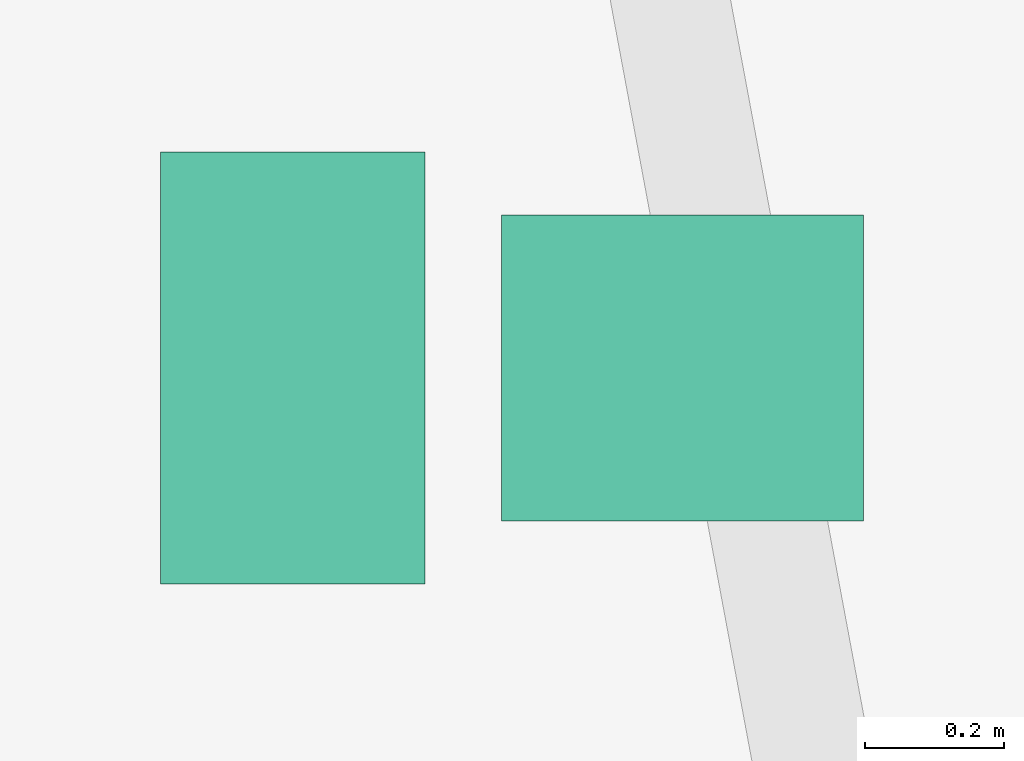
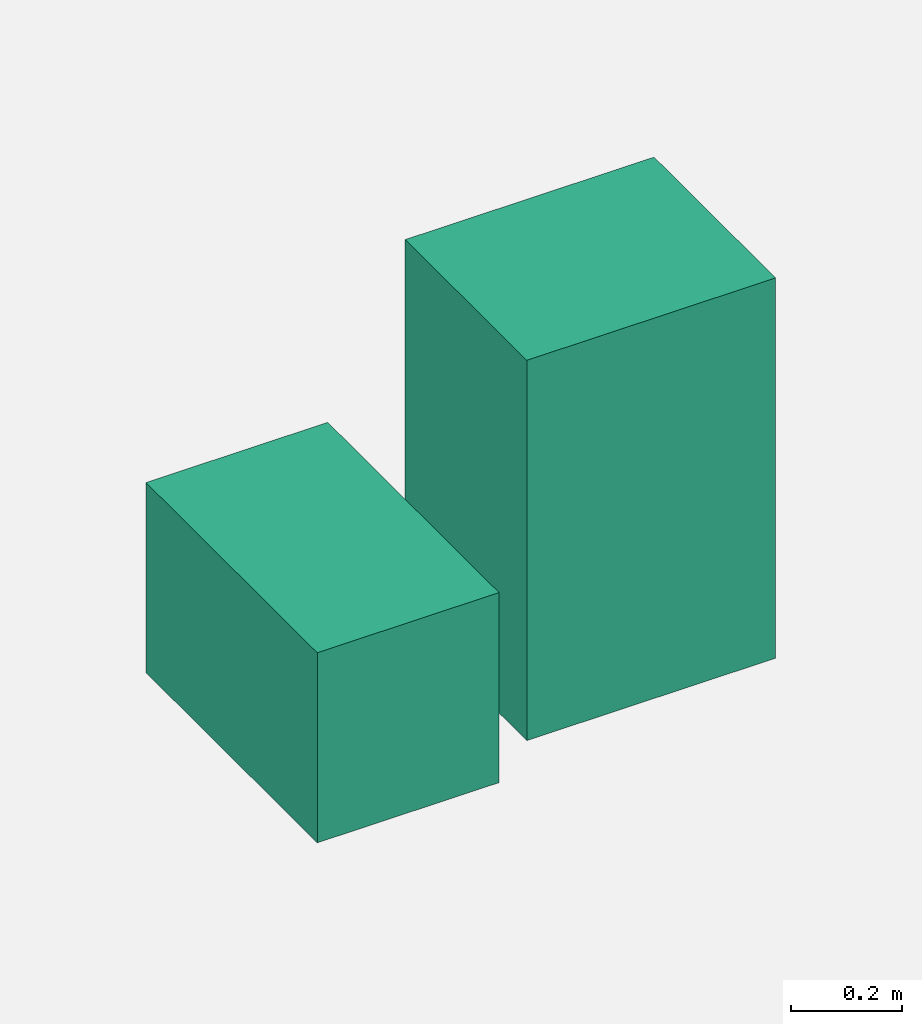
# One storey, part 12 of 12: 2 sanitary terminals.
"""IFC4 building model written with IfcOpenShell, lengths in metres."""

from ifc_helpers import new_model, si_unit, direction, frame, origin, origin_2d, place, context, subcontext, project, spatial, rectangle, extrude, source, transform, mapped, material, type_object, element, save


model = new_model("IFC4")

# Units and contexts
model_context = context("Model", 3, precision=1e-05, world=origin(), true_north=direction((0.0, 1.0)))
body_context = subcontext(model_context, "Body", "Model", "MODEL_VIEW")
ifc_project = project(units=[si_unit("LENGTHUNIT", "METRE"), si_unit("AREAUNIT", "SQUARE_METRE"), si_unit("VOLUMEUNIT", "CUBIC_METRE"), si_unit("PLANEANGLEUNIT", "RADIAN"), si_unit("MASSUNIT", "GRAM", prefix="KILO")], contexts=[model_context])

# Site, building, storey
site_placement = place(None, origin())
site = spatial("IfcSite", under=ifc_project, at=site_placement, CompositionType="ELEMENT")
building_placement = place(site_placement, origin())
building = spatial("IfcBuilding", under=site, at=building_placement, Name="Qafzar Sky-Pleat Residences", CompositionType="ELEMENT")
storey_placement = place(building_placement, frame((0.0, 0.0, 187.39990234375)))
storey = spatial("IfcBuildingStorey", under=building, at=storey_placement, Name="L56", CompositionType="ELEMENT", Elevation=187.39990234375)

# Sanitary terminals
ifc_material = material(Name="Vitreous china sanitaryware")
sanitary_terminal_type_1 = type_object("IfcSanitaryTerminalType", Name="SAN-WC-PAN", PredefinedType="TOILETPAN", material=ifc_material)
shared_shape_1 = source(origin(), body_context, "Body", "SweptSolid", [
    extrude(rectangle(XDim=0.3798828125, YDim=0.6201171875, at=origin_2d()), origin(), (0.0, 0.0, 1.0), 0.419921875),
])
sanitary_terminal_1_placement = place(storey_placement, frame((40.5244140625, 29.34912109375, 0.000244140625), z_axis=(0.0, 0.0, 1.0), x_axis=(1.0, 0.0, 0.0)))
element("IfcSanitaryTerminal", 1, at=sanitary_terminal_1_placement, inside=storey, type_object=sanitary_terminal_type_1, Name="L56 Accessible Shared Washroom WC Pan", PredefinedType="TOILETPAN", context=body_context, shape_type="MappedRepresentation", body=[
    mapped(shared_shape_1, transform((0.0, 0.0, 0.0), x_axis=(1.0, 0.0, 0.0), y_axis=(0.0, 1.0, 0.0), z_axis=(0.0, 0.0, 1.0), scale=1.0)),
])
sanitary_terminal_type_2 = type_object("IfcSanitaryTerminalType", Name="SAN-BASIN", PredefinedType="WASHHANDBASIN", material=ifc_material)
shared_shape_2 = source(origin(), body_context, "Body", "SweptSolid", [
    extrude(rectangle(XDim=0.52001953125, YDim=0.43994140625, at=origin_2d()), origin(), (0.0, 0.0, 1.0), 0.840087890625),
])
sanitary_terminal_2_placement = place(storey_placement, frame((41.084228515625, 29.34912109375, 0.0), z_axis=(0.0, 0.0, 1.0), x_axis=(1.0, 0.0, 0.0)))
element("IfcSanitaryTerminal", 2, at=sanitary_terminal_2_placement, inside=storey, type_object=sanitary_terminal_type_2, Name="L56 Accessible Shared Washroom Pedestal Washbasin", PredefinedType="WASHHANDBASIN", context=body_context, shape_type="MappedRepresentation", body=[
    mapped(shared_shape_2, transform((0.0, 0.0, 0.0), x_axis=(1.0, 0.0, 0.0), y_axis=(0.0, 1.0, 0.0), z_axis=(0.0, 0.0, 1.0), scale=1.0)),
])

save(model, "model.ifc")
